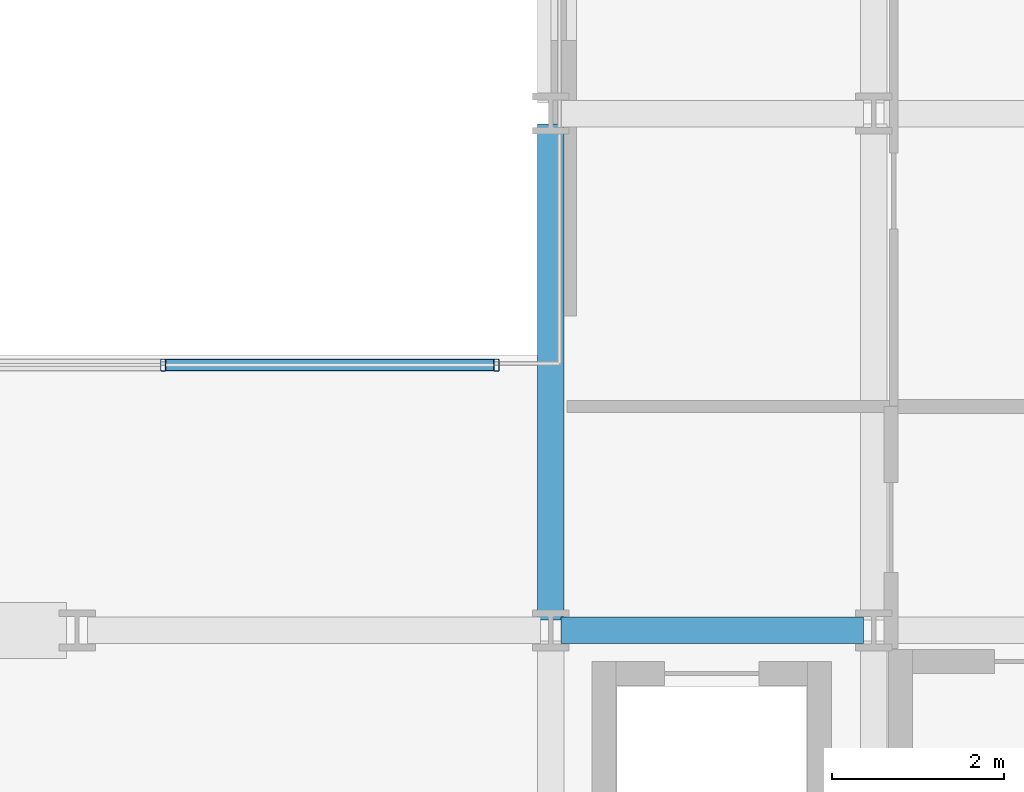
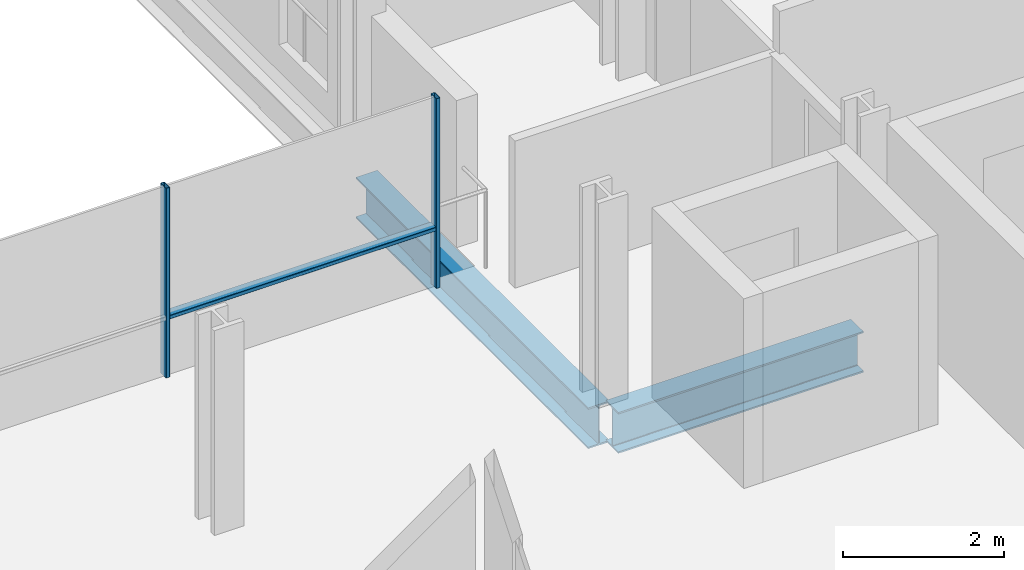
# One storey, part 13 of 38: 3 members, 2 beams, 1 element without a shape of its own.
"""IFC4 building model written with IfcOpenShell, lengths in metres."""

from ifc_helpers import new_model, si_unit, direction, frame, origin, origin_2d, place, context, subcontext, project, spatial, hollow_rectangle, i_section, extrude, material, layer, layer_set, material_profile, profile_set, type_object, element, aggregate, save


model = new_model("IFC4")

# Units and contexts
model_context = context("Model", 3, precision=1e-05, world=origin(), true_north=direction((0.0, 1.0)))
body_context = subcontext(model_context, "Body", "Model", "MODEL_VIEW")
ifc_project = project(units=[si_unit("LENGTHUNIT", "METRE"), si_unit("AREAUNIT", "SQUARE_METRE"), si_unit("VOLUMEUNIT", "CUBIC_METRE"), si_unit("PLANEANGLEUNIT", "RADIAN"), si_unit("MASSUNIT", "GRAM", prefix="KILO")], contexts=[model_context])

# Site, building, storey
site_placement = place(None, origin())
site = spatial("IfcSite", under=ifc_project, at=site_placement, CompositionType="ELEMENT")
building_placement = place(site_placement, origin())
building = spatial("IfcBuilding", under=site, at=building_placement, Name="Brevholm Reach", CompositionType="ELEMENT")
storey_placement = place(building_placement, frame((0.0, 0.0, 59.0)))
storey = spatial("IfcBuildingStorey", under=building, at=storey_placement, Name="L16", CompositionType="ELEMENT", Elevation=59.0)

# Beams
ifc_material_1 = material(Name="Structural Steel S355J2", Category="steel")
ifc_material_profile_1 = material_profile(ifc_material_1, i_section(OverallWidth=0.30712890625, OverallDepth=0.6201171875, WebThickness=0.01416015625, FlangeThickness=0.023681640625, FilletRadius=0.0166015625, at=origin_2d()), Name="UKB 610x305x179")
ifc_profile_set_1 = profile_set([ifc_material_profile_1], Name="Structural Steel S355J2")
beam_type = type_object("IfcBeamType", Name="BM-UKB610H", PredefinedType="USERDEFINED", material=ifc_profile_set_1)
beam_1_placement = place(storey_placement, frame((38.3701171875, 10.0, -0.5400390625), z_axis=(1.0, 0.0, 0.0), x_axis=(0.0, 1.0, 0.0)))
element("IfcBeam", 1, at=beam_1_placement, inside=storey, type_object=beam_type, Name="L16 G-06 Framing Beam", ObjectType="GIRDER", PredefinedType="USERDEFINED", context=body_context, shape_type="SweptSolid", body=[
    extrude(i_section(OverallWidth=0.30712890625, OverallDepth=0.6201171875, WebThickness=0.01416015625, FlangeThickness=0.023681640625, FilletRadius=0.0166015625, at=origin_2d()), origin(), (0.0, 0.0, 1.0), 3.509765625),
])
beam_2_placement = place(storey_placement, frame((38.25, 10.1201171875, -0.5400390625), z_axis=(0.0, 1.0, 0.0), x_axis=(-1.0, 0.0, 0.0)))
element("IfcBeam", 2, at=beam_2_placement, inside=storey, type_object=beam_type, Name="L16 G-06 Framing Beam", ObjectType="GIRDER", PredefinedType="USERDEFINED", context=body_context, shape_type="SweptSolid", body=[
    extrude(i_section(OverallWidth=0.30712890625, OverallDepth=0.6201171875, WebThickness=0.01416015625, FlangeThickness=0.023681640625, FilletRadius=0.0166015625, at=origin_2d()), origin(), (0.0, 0.0, 1.0), 5.759765625),
])

# Curtain wall, members
ifc_material_2 = material(Name="Dark Anodised Aluminium 6063-T6 and Solar-Control Glass", Category="aluminium")
ifc_layer = layer(ifc_material_2, 0.139892578125)
ifc_layer_set = layer_set([ifc_layer], Name="Dark Anodised Aluminium 6063-T6 and Solar-Control Glass")
curtain_wall_type = type_object("IfcCurtainWallType", Name="CW-02", PredefinedType="NOTDEFINED", material=ifc_layer_set)
curtain_wall_placement = place(storey_placement, origin())
curtain_wall = element("IfcCurtainWall", 3, at=curtain_wall_placement, inside=storey, type_object=curtain_wall_type, Name="L16 Curtain Wall CW-02", PredefinedType="NOTDEFINED")
ifc_material_3 = material(Name="Dark Anodised Aluminium 6063-T6", Category="aluminium")
ifc_material_profile_2 = material_profile(ifc_material_3, hollow_rectangle(XDim=0.06005859375, YDim=0.139892578125, WallThickness=0.0048828125, InnerFilletRadius=0.0048828125, OuterFilletRadius=0.010009765625, at=origin_2d()), Name="RHS 140x60x5")
ifc_profile_set_2 = profile_set([ifc_material_profile_2], Name="Dark Anodised Aluminium 6063-T6")
member_type_1 = type_object("IfcMemberType", Name="CWM-140", PredefinedType="MULLION", material=ifc_profile_set_2)
member_1_placement = place(storey_placement, frame((33.75, 13.080078125, 0.0), z_axis=(0.0, 0.0, 1.0), x_axis=(1.0, 0.0, 0.0)))
member_1 = element("IfcMember", 4, at=member_1_placement, type_object=member_type_1, Name="CM-140 Mullion 4", PredefinedType="MULLION", context=body_context, shape_type="SweptSolid", body=[
    extrude(hollow_rectangle(XDim=0.06005859375, YDim=0.139892578125, WallThickness=0.0048828125, InnerFilletRadius=0.0048828125, OuterFilletRadius=0.010009765625, at=origin_2d()), origin(), (0.0, 0.0, 1.0), 2.8701171875),
])
member_2_placement = place(storey_placement, frame((37.6201171875, 13.080078125, 0.0), z_axis=(0.0, 0.0, 1.0), x_axis=(1.0, 0.0, 0.0)))
member_2 = element("IfcMember", 5, at=member_2_placement, type_object=member_type_1, Name="CM-140 Mullion 5", PredefinedType="MULLION", context=body_context, shape_type="SweptSolid", body=[
    extrude(hollow_rectangle(XDim=0.06005859375, YDim=0.139892578125, WallThickness=0.0048828125, InnerFilletRadius=0.0048828125, OuterFilletRadius=0.010009765625, at=origin_2d()), origin(), (0.0, 0.0, 1.0), 2.8701171875),
])
ifc_material_4 = material(Name="Dark Anodised Aluminium 6063-T6", Category="aluminium")
ifc_material_profile_3 = material_profile(ifc_material_4, hollow_rectangle(XDim=0.06005859375, YDim=0.139892578125, WallThickness=0.0048828125, InnerFilletRadius=0.0048828125, OuterFilletRadius=0.010009765625, at=origin_2d()), Name="RHS 140x60x5")
ifc_profile_set_3 = profile_set([ifc_material_profile_3], Name="Dark Anodised Aluminium 6063-T6")
member_type_2 = type_object("IfcMemberType", Name="CWT-140", PredefinedType="NOTDEFINED", material=ifc_profile_set_3)
member_3_placement = place(storey_placement, frame((33.780029296875, 13.080078125, 0.89990234375), z_axis=(1.0, 0.0, 0.0), x_axis=(0.0, 0.0, 1.0)))
member_3 = element("IfcMember", 6, at=member_3_placement, type_object=member_type_2, Name="CT-140 Transom 4.1", ObjectType="TRANSOM", PredefinedType="USERDEFINED", context=body_context, shape_type="SweptSolid", body=[
    extrude(hollow_rectangle(XDim=0.06005859375, YDim=0.139892578125, WallThickness=0.0048828125, InnerFilletRadius=0.0048828125, OuterFilletRadius=0.010009765625, at=origin_2d()), origin(), (0.0, 0.0, 1.0), 3.81005859375),
])
aggregate(curtain_wall, [member_1, member_2, member_3])

save(model, "model.ifc")
